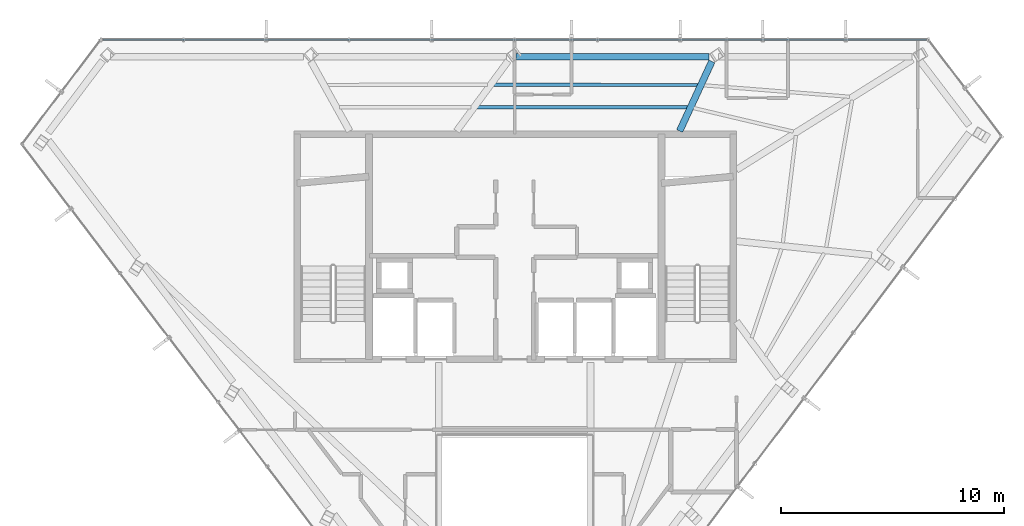
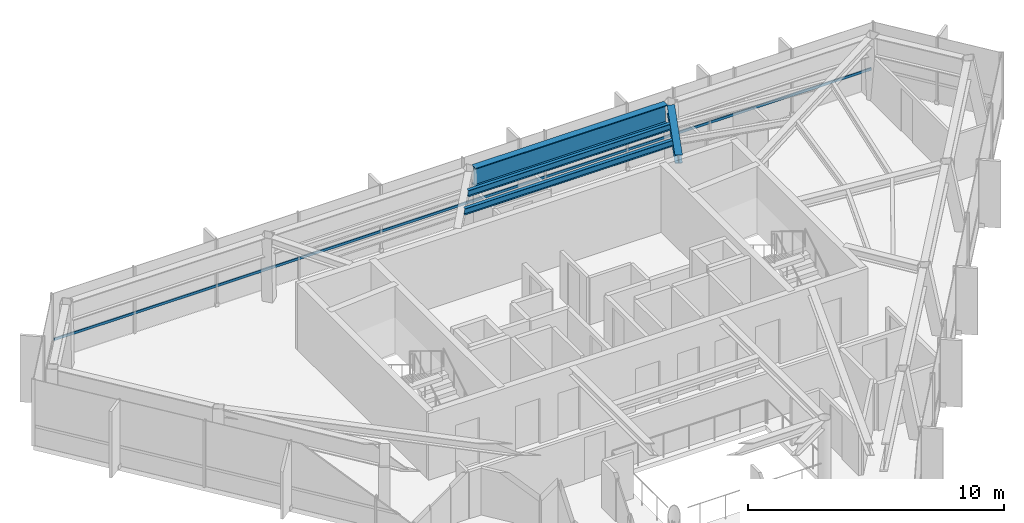
# One storey, part 11 of 21: 4 beams, 1 member, 1 element without a shape of its own.
"""IFC4 building model written with IfcOpenShell, lengths in metres."""

import ifcopenshell
import ifcopenshell.guid

model = None  # the IFC model being written
_history = None  # IfcOwnerHistory: only IFC2X3 demands one
_inside = {}  # id of a spatial element -> (the spatial element, [elements in it])
_under = {}  # id of a project, library or spatial element -> (it, [spatial elements below it])
_declared = {}  # id of a project -> (the project, [libraries it declares])
_typed = {}  # id of a type object -> (the type object, [elements of that type])
_made_of = {}  # id of a material, layer set ... -> (it, [elements and type objects made of it])


def new_model(schema):
    """Start an empty IFC model of exactly this schema.

    Asked for "IFC4X3", IfcOpenShell would pick the latest addendum, in which some entities
    have other attributes; the version numbers below select the first issue.
    IFC2X3 requires an IfcOwnerHistory on every rooted entity: one is made here for all.
    """
    global model, _history
    if schema == "IFC4X3":
        model = ifcopenshell.file(schema_version=(4, 3, 0, 0))
    else:
        model = ifcopenshell.file(schema=schema)
    _inside.clear()
    _under.clear()
    _declared.clear()
    _typed.clear()
    _made_of.clear()
    _history = None
    if model.schema == "IFC2X3":
        org = make("IfcOrganization", Name="unknown")
        user = make(
            "IfcPersonAndOrganization",
            ThePerson=make("IfcPerson", FamilyName="unknown"),
            TheOrganization=org,
        )
        app = make(
            "IfcApplication",
            ApplicationDeveloper=org,
            Version="unknown",
            ApplicationFullName="unknown",
            ApplicationIdentifier="unknown",
        )
        _history = make(
            "IfcOwnerHistory",
            OwningUser=user,
            OwningApplication=app,
            ChangeAction="ADDED",
            CreationDate=0,
        )
    return model


def make(cls, **values):
    """One entity of the class cls with the attributes given. An attribute that is None is left unset."""
    return model.create_entity(
        cls, **{name: value for name, value in values.items() if value is not None}
    )


def rooted(cls, **values):
    """An entity with a GlobalId (a new one), such as an element, a storey or a relation."""
    return make(cls, GlobalId=ifcopenshell.guid.new(), OwnerHistory=_history, **values)


def si_unit(unit_type, name, prefix=None):
    """IfcSIUnit, for example si_unit("LENGTHUNIT", "METRE", prefix="MILLI")."""
    return make("IfcSIUnit", UnitType=unit_type, Prefix=prefix, Name=name)


def assignment(units):
    """IfcUnitAssignment: the units of a project."""
    return None if units is None else make("IfcUnitAssignment", Units=units)


def point(xyz):
    """IfcCartesianPoint."""
    return None if xyz is None else make("IfcCartesianPoint", Coordinates=xyz)


def direction(xyz):
    """IfcDirection."""
    return None if xyz is None else make("IfcDirection", DirectionRatios=xyz)


def frame(location, z_axis=None, x_axis=None):
    """IfcAxis2Placement3D, a coordinate frame: its origin and axes. An axis left out is left unset."""
    return make(
        "IfcAxis2Placement3D",
        Location=point(location),
        Axis=direction(z_axis),
        RefDirection=direction(x_axis),
    )


def frame_2d(location, x_axis=None):
    """IfcAxis2Placement2D, a coordinate frame in the plane: its origin and x axis."""
    return make(
        "IfcAxis2Placement2D", Location=point(location), RefDirection=direction(x_axis)
    )


def origin():
    """The frame at (0, 0, 0) with its axes left unset."""
    return frame((0.0, 0.0, 0.0))


def origin_2d():
    """The frame at (0, 0) in the plane with its x axis left unset."""
    return frame_2d((0.0, 0.0))


def place(relative_to, where):
    """IfcLocalPlacement: puts the frame where relative to a parent placement (None: the world)."""
    return make(
        "IfcLocalPlacement", PlacementRelTo=relative_to, RelativePlacement=where
    )


def context(
    kind, dimensions, precision=None, world=None, true_north=None, identifier=None
):
    """IfcGeometricRepresentationContext, for example the 3D "Model" context."""
    return make(
        "IfcGeometricRepresentationContext",
        ContextIdentifier=identifier,
        ContextType=kind,
        CoordinateSpaceDimension=dimensions,
        Precision=precision,
        WorldCoordinateSystem=world,
        TrueNorth=true_north,
    )


def subcontext(parent, identifier, kind, view, scale=None):
    """IfcGeometricRepresentationSubContext, for example "Body" below "Model"."""
    return make(
        "IfcGeometricRepresentationSubContext",
        ContextIdentifier=identifier,
        ContextType=kind,
        ParentContext=parent,
        TargetScale=scale,
        TargetView=view,
    )


def project(units=None, contexts=None):
    """IfcProject with its units and contexts."""
    return rooted(
        "IfcProject",
        Name="project",
        RepresentationContexts=contexts,
        UnitsInContext=assignment(units),
    )


def spatial(cls, under=None, at=None, **own):
    """A site, building, storey or space (cls), placed at a placement, below another one or the project."""
    s = rooted(cls, ObjectPlacement=at, **own)
    if under is not None:
        _under.setdefault(under.id(), (under, []))[1].append(s)
    return s


def profile(cls, at=None, kind="AREA", **sizes):
    """A parametric profile (cls). Its sizes go by their IFC names, for example OverallWidth=200.0."""
    return make(cls, ProfileType=kind, Position=at, **sizes)


def hollow_rectangle(**sizes):
    """IfcRectangleHollowProfileDef."""
    return profile("IfcRectangleHollowProfileDef", **sizes)


def i_section(**sizes):
    """IfcIShapeProfileDef."""
    return profile("IfcIShapeProfileDef", **sizes)


def extrude(swept, where, along, depth):
    """IfcExtrudedAreaSolid: the profile swept, set in the frame where, extruded along a direction by depth."""
    return make(
        "IfcExtrudedAreaSolid",
        SweptArea=swept,
        Position=where,
        ExtrudedDirection=direction(along),
        Depth=depth,
    )


def shape(context_of_items, identifier, shape_type, items):
    """IfcShapeRepresentation: the items that make up one representation, for example the "Body"."""
    return make(
        "IfcShapeRepresentation",
        ContextOfItems=context_of_items,
        RepresentationIdentifier=identifier,
        RepresentationType=shape_type,
        Items=items,
    )


def material(Name=None, Category=None):
    """IfcMaterial."""
    return make("IfcMaterial", Name=Name, Category=Category)


def layer(
    of_material, thickness, ventilated=None, Name=None, Category=None, Priority=None
):
    """IfcMaterialLayer: one layer of a wall or slab, of a material (None: an air gap)."""
    return make(
        "IfcMaterialLayer",
        Material=of_material,
        LayerThickness=thickness,
        IsVentilated=ventilated,
        Name=Name,
        Category=Category,
        Priority=Priority,
    )


def layer_set(layers, Name=None):
    """IfcMaterialLayerSet."""
    return make("IfcMaterialLayerSet", MaterialLayers=layers, LayerSetName=Name)


def material_profile(
    of_material, cross_section, Name=None, Category=None, Priority=None
):
    """IfcMaterialProfile: a cross section and its material."""
    return make(
        "IfcMaterialProfile",
        Name=Name,
        Material=of_material,
        Profile=cross_section,
        Priority=Priority,
        Category=Category,
    )


def profile_set(profiles, Name=None, composite=None):
    """IfcMaterialProfileSet."""
    return make(
        "IfcMaterialProfileSet",
        Name=Name,
        MaterialProfiles=profiles,
        CompositeProfile=composite,
    )


def made_of(thing, what):
    """Note that an element or type object is made of a material, layer set ...; save() writes the relation."""
    if what is not None:
        _made_of.setdefault(what.id(), (what, []))[1].append(thing)
    return thing


def type_object(cls, material=None, **own):
    """A type object (cls), such as IfcWallType, which elements share."""
    return made_of(rooted(cls, **own), material)


def element(
    cls,
    number,
    at=None,
    inside=None,
    cuts=None,
    type_object=None,
    material=None,
    context=None,
    identifier="Body",
    shape_type=None,
    held_by="IfcProductDefinitionShape",
    body=None,
    shapes=None,
    **own,
):
    """One element of the class cls, such as IfcWall. Its Tag is "e" and its number.

    at: its placement. inside: the storey or other place that contains it. cuts: it is an
    opening in that element (IfcRelVoidsElement). A single representation is given by context,
    identifier, shape_type and body (its items); several are given by shapes. held_by: the class
    of the entity that holds the representations. save() writes the other relations.
    """
    e = rooted(cls, Tag="e%d" % number, ObjectPlacement=at, **own)
    if body is not None:
        shapes = [shape(context, identifier, shape_type, body)]
    if shapes is not None:
        e.Representation = make(held_by, Representations=shapes)
    if inside is not None:
        _inside.setdefault(inside.id(), (inside, []))[1].append(e)
    if cuts is not None:
        rooted(
            "IfcRelVoidsElement", RelatingBuildingElement=cuts, RelatedOpeningElement=e
        )
    if type_object is not None:
        _typed.setdefault(type_object.id(), (type_object, []))[1].append(e)
    return made_of(e, material)


def aggregate(whole, parts):
    """IfcRelAggregates: a whole, such as a stair, and the parts it consists of."""
    return rooted("IfcRelAggregates", RelatingObject=whole, RelatedObjects=parts)


def save(model, path):
    """Write the relations noted so far, then the file.

    IfcRelAggregates (storeys below a building ...), IfcRelContainedInSpatialStructure (elements
    in a storey), IfcRelDefinesByType, IfcRelAssociatesMaterial and IfcRelDeclares: one each for
    every whole, place, type object, material and project.
    """
    for whole, parts in _under.values():
        aggregate(whole, parts)
    for where, things in _inside.values():
        rooted(
            "IfcRelContainedInSpatialStructure",
            RelatedElements=things,
            RelatingStructure=where,
        )
    for kind, things in _typed.values():
        rooted("IfcRelDefinesByType", RelatedObjects=things, RelatingType=kind)
    for what, things in _made_of.values():
        rooted("IfcRelAssociatesMaterial", RelatedObjects=things, RelatingMaterial=what)
    for by, libraries in _declared.values():
        rooted("IfcRelDeclares", RelatingContext=by, RelatedDefinitions=libraries)
    model.write(path)


model = new_model("IFC4")

# Units and contexts
model_context = context("Model", 3, precision=1e-05, world=origin(), true_north=direction((0.0, 1.0)))
body_context = subcontext(model_context, "Body", "Model", "MODEL_VIEW")
ifc_project = project(units=[si_unit("LENGTHUNIT", "METRE"), si_unit("AREAUNIT", "SQUARE_METRE"), si_unit("VOLUMEUNIT", "CUBIC_METRE"), si_unit("PLANEANGLEUNIT", "RADIAN"), si_unit("MASSUNIT", "GRAM", prefix="KILO")], contexts=[model_context])

# Site, building, storey
site_placement = place(None, origin())
site = spatial("IfcSite", under=ifc_project, at=site_placement, CompositionType="ELEMENT")
building_placement = place(site_placement, origin())
building = spatial("IfcBuilding", under=site, at=building_placement, Name="Zarrinselat Tower", CompositionType="ELEMENT")
storey_placement = place(building_placement, frame((0.0, 0.0, 285.60009765625)))
storey = spatial("IfcBuildingStorey", under=building, at=storey_placement, Name="L73", CompositionType="ELEMENT", Elevation=285.60009765625)

# Beams
ifc_material_1 = material(Name="Steel S355J2", Category="steel")
ifc_material_profile_1 = material_profile(ifc_material_1, i_section(OverallWidth=0.300048828125, OverallDepth=0.39990234375, WebThickness=0.013427734375, FlangeThickness=0.02392578125, at=origin_2d()), Name="HEB 400")
ifc_profile_set_1 = profile_set([ifc_material_profile_1], Name="Steel S355J2")
beam_type_1 = type_object("IfcBeamType", Name="BM-HEB400", PredefinedType="BEAM", material=ifc_profile_set_1)
beam_1_placement = place(storey_placement, frame((45.800048828125, 43.5400390625, 2.97998046875), z_axis=(0.420205846553, 0.907428810719, 0.0), x_axis=(-0.907428810719, 0.420205846553, 0.0)))
element("IfcBeam", 1, at=beam_1_placement, inside=storey, type_object=beam_type_1, Name="L73 Radial Primary Girder RG02", PredefinedType="BEAM", context=body_context, shape_type="SweptSolid", body=[
    extrude(i_section(OverallWidth=0.300048828125, OverallDepth=0.39990234375, WebThickness=0.013427734375, FlangeThickness=0.02392578125, at=origin_2d()), origin(), (0.0, 0.0, 1.0), 3.43896484375),
])
ifc_material_2 = material(Name="Steel S460M", Category="steel")
ifc_material_profile_2 = material_profile(ifc_material_2, i_section(OverallWidth=0.302001953125, OverallDepth=0.909912109375, WebThickness=0.02099609375, FlangeThickness=0.0400390625, at=origin_2d()), Name="HEM 900")
ifc_profile_set_2 = profile_set([ifc_material_profile_2], Name="Steel S460M")
beam_type_2 = type_object("IfcBeamType", Name="BM-HEM900", PredefinedType="BEAM", material=ifc_profile_set_2)
beam_2_placement = place(storey_placement, frame((38.45849609375, 46.86669921875, 2.724853515625), z_axis=(1.0, 0.0, 0.0), x_axis=(0.0, 1.0, 0.0)))
element("IfcBeam", 2, at=beam_2_placement, inside=storey, type_object=beam_type_2, Name="L73 Perimeter Spandrel Girder SP02", PredefinedType="BEAM", context=body_context, shape_type="SweptSolid", body=[
    extrude(i_section(OverallWidth=0.302001953125, OverallDepth=0.909912109375, WebThickness=0.02099609375, FlangeThickness=0.0400390625, at=origin_2d()), origin(), (0.0, 0.0, 1.0), 8.6689453125),
])
ifc_material_3 = material(Name="Steel S355J2", Category="steel")
ifc_material_profile_3 = material_profile(ifc_material_3, i_section(OverallWidth=0.14990234375, OverallDepth=0.300048828125, WebThickness=0.007080078125, FlangeThickness=0.0107421875, at=origin_2d()), Name="IPE 300")
ifc_profile_set_3 = profile_set([ifc_material_profile_3], Name="Steel S355J2")
beam_type_3 = type_object("IfcBeamType", Name="BM-IPE300", PredefinedType="JOIST", material=ifc_profile_set_3)
beam_3_placement = place(storey_placement, frame((37.46533203125, 45.61474609375, 3.02978515625), z_axis=(0.999998675002, -0.001627879995, 0.0), x_axis=(0.001627879995, 0.999998675002, 0.0)))
element("IfcBeam", 3, at=beam_3_placement, inside=storey, type_object=beam_type_3, Name="L73 Composite Floor Joist 7-1", PredefinedType="JOIST", context=body_context, shape_type="SweptSolid", body=[
    extrude(i_section(OverallWidth=0.14990234375, OverallDepth=0.300048828125, WebThickness=0.007080078125, FlangeThickness=0.0107421875, at=origin_2d()), origin(), (0.0, 0.0, 1.0), 9.1484375),
])
beam_4_placement = place(storey_placement, frame((36.7255859375, 44.60888671875, 3.02978515625), z_axis=(0.999999677642, -0.000802942137, 0.0), x_axis=(0.000802942137, 0.999999677642, 0.0)))
element("IfcBeam", 4, at=beam_4_placement, inside=storey, type_object=beam_type_3, Name="L73 Composite Floor Joist 7-2", PredefinedType="JOIST", context=body_context, shape_type="SweptSolid", body=[
    extrude(i_section(OverallWidth=0.14990234375, OverallDepth=0.300048828125, WebThickness=0.007080078125, FlangeThickness=0.0107421875, at=origin_2d()), origin(), (0.0, 0.0, 1.0), 9.42578125),
])

# Curtain wall, member
ifc_material_4 = material(Name="Extruded Aluminium Alloy EN AW-6063 T6", Category="aluminium")
ifc_layer = layer(ifc_material_4, 0.169921875)
ifc_layer_set = layer_set([ifc_layer], Name="Extruded Aluminium Alloy EN AW-6063 T6")
curtain_wall_type = type_object("IfcCurtainWallType", Name="CWS-RES", PredefinedType="NOTDEFINED", material=ifc_layer_set)
curtain_wall_placement = place(storey_placement, origin())
curtain_wall = element("IfcCurtainWall", 5, at=curtain_wall_placement, inside=storey, type_object=curtain_wall_type, Name="L73 Unitised Curtain Wall CW-L73-E01", PredefinedType="NOTDEFINED")
ifc_material_5 = material(Name="Extruded Aluminium Alloy EN AW-6063 T6", Category="aluminium")
ifc_material_profile_4 = material_profile(ifc_material_5, hollow_rectangle(XDim=0.06005859375, YDim=0.1201171875, WallThickness=0.00390625, at=origin_2d()), Name="RHS 120x60x4")
ifc_profile_set_4 = profile_set([ifc_material_profile_4], Name="Extruded Aluminium Alloy EN AW-6063 T6")
member_type = type_object("IfcMemberType", Name="MEM-CW-TRN2", PredefinedType="USERDEFINED", material=ifc_profile_set_4)
member_placement = place(storey_placement, frame((56.865478515625, 47.63330078125, 0.949951171875), z_axis=(-1.0, 0.0, 0.0), x_axis=(0.0, -1.0, 0.0)))
member = element("IfcMember", 6, at=member_placement, type_object=member_type, Name="CW-L73-E01 Transom 1", ObjectType="TRANSOM", PredefinedType="USERDEFINED", context=body_context, shape_type="SweptSolid", body=[
    extrude(hollow_rectangle(XDim=0.06005859375, YDim=0.1201171875, WallThickness=0.00390625, at=origin_2d()), origin(), (0.0, 0.0, 1.0), 36.932373046875),
])
aggregate(curtain_wall, [member])

save(model, "model.ifc")
